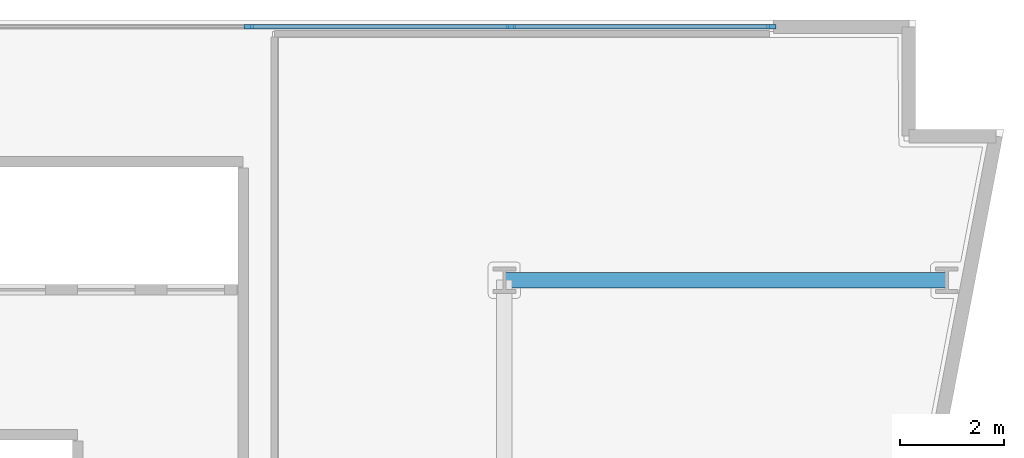
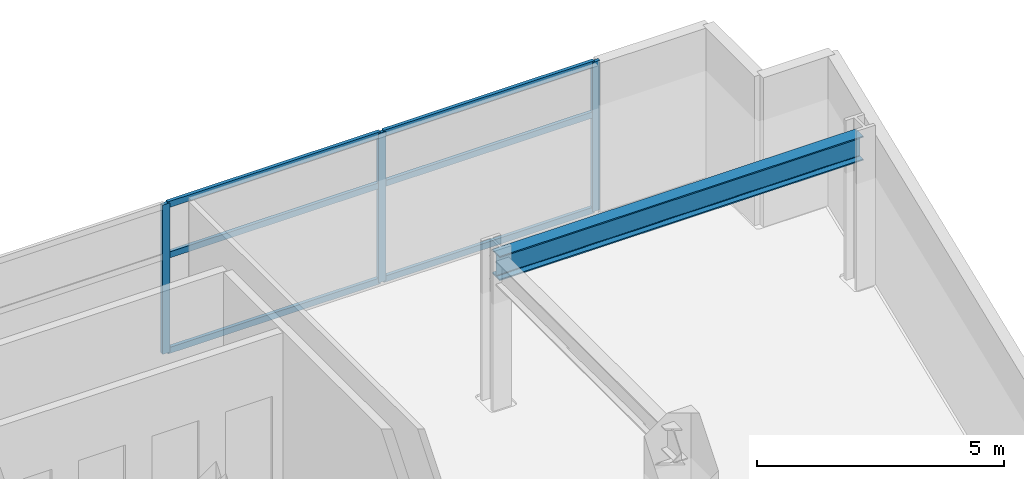
# One storey, part 4 of 12: 9 members, 1 beam, 1 element without a shape of its own.
"""IFC4 building model written with IfcOpenShell, lengths in metres."""

from ifc_helpers import new_model, si_unit, direction, frame, origin, origin_2d, place, context, subcontext, project, spatial, rectangle, i_section, extrude, material, layer, layer_set, material_profile, profile_set, type_object, element, aggregate, save


model = new_model("IFC4")

# Units and contexts
model_context = context("Model", 3, precision=1e-05, world=origin(), true_north=direction((0.0, 1.0)))
body_context = subcontext(model_context, "Body", "Model", "MODEL_VIEW")
ifc_project = project(units=[si_unit("LENGTHUNIT", "METRE"), si_unit("AREAUNIT", "SQUARE_METRE"), si_unit("VOLUMEUNIT", "CUBIC_METRE"), si_unit("PLANEANGLEUNIT", "RADIAN"), si_unit("MASSUNIT", "GRAM", prefix="KILO")], contexts=[model_context])

# Site, building, storey
site_placement = place(None, origin())
site = spatial("IfcSite", under=ifc_project, at=site_placement, CompositionType="ELEMENT")
building_placement = place(site_placement, origin())
building = spatial("IfcBuilding", under=site, at=building_placement, Name="Caeloran Harvest Quay", CompositionType="ELEMENT")
storey_placement = place(building_placement, frame((0.0, 0.0, 115.35009765625)))
storey = spatial("IfcBuildingStorey", under=building, at=storey_placement, Name="L26", CompositionType="ELEMENT", Elevation=115.35009765625)

# Beam
ifc_material_1 = material(Name="Steel S355J2", Category="steel")
ifc_material_profile_1 = material_profile(ifc_material_1, i_section(OverallWidth=0.300048828125, OverallDepth=0.60009765625, WebThickness=0.015380859375, FlangeThickness=0.030029296875, FilletRadius=0.027099609375, at=origin_2d()), Name="HE 600 B")
ifc_profile_set_1 = profile_set([ifc_material_profile_1], Name="Steel S355J2")
beam_type = type_object("IfcBeamType", Name="BM-PG-3-HE_600_B", PredefinedType="BEAM", material=ifc_profile_set_1)
beam_placement = place(storey_placement, frame((42.5, 38.5, 3.389892578125), z_axis=(1.0, 0.0, 0.0), x_axis=(0.0, 1.0, 0.0)))
element("IfcBeam", 1, at=beam_placement, inside=storey, type_object=beam_type, Name="L26 Primary East-West Girder Y=38.5", PredefinedType="BEAM", context=body_context, shape_type="SweptSolid", body=[
    extrude(i_section(OverallWidth=0.300048828125, OverallDepth=0.60009765625, WebThickness=0.015380859375, FlangeThickness=0.030029296875, FilletRadius=0.027099609375, at=origin_2d()), origin(), (0.0, 0.0, 1.0), 8.5),
])

# Curtain wall, members
ifc_material_2 = material(Name="Aluminium 6063-T6 and Low-E Glazing", Category="aluminium")
ifc_layer = layer(ifc_material_2, 0.18994140625, Name="Aluminium 6063-T6 and Low-E Glazing")
ifc_layer_set = layer_set([ifc_layer], Name="Aluminium 6063-T6 and Low-E Glazing")
curtain_wall_type = type_object("IfcCurtainWallType", Name="CW-SYS-CW-3", PredefinedType="USERDEFINED", material=ifc_layer_set)
curtain_wall_placement = place(storey_placement, origin())
curtain_wall = element("IfcCurtainWall", 2, at=curtain_wall_placement, inside=storey, type_object=curtain_wall_type, Name="L26 Unitised Curtain Wall CW-3 Run 6", ObjectType="CURTAIN_WALL", PredefinedType="USERDEFINED")
ifc_material_3 = material(Name="Aluminium 6063-T6", Category="aluminium")
ifc_material_profile_2 = material_profile(ifc_material_3, rectangle(XDim=0.080078125, YDim=0.179931640625, at=origin_2d()), Name="CW-MULLION-180")
ifc_profile_set_2 = profile_set([ifc_material_profile_2], Name="Aluminium 6063-T6")
member_type_1 = type_object("IfcMemberType", Name="CW-MULLION-180", PredefinedType="MULLION", material=ifc_profile_set_2)
member_1_placement = place(storey_placement, frame((37.5849609375, 43.3701171875, 0.0), z_axis=(0.0, 0.0, 1.0), x_axis=(0.0, 1.0, 0.0)))
member_1 = element("IfcMember", 3, at=member_1_placement, type_object=member_type_1, Name="CW-3 mullion 7", PredefinedType="MULLION", context=body_context, shape_type="SweptSolid", body=[
    extrude(rectangle(XDim=0.080078125, YDim=0.179931640625, at=origin_2d()), origin(), (0.0, 0.0, 1.0), 3.68994140625),
])
member_2_placement = place(storey_placement, frame((42.62744140625, 43.3701171875, 0.0), z_axis=(0.0, 0.0, 1.0), x_axis=(0.0, 1.0, 0.0)))
member_2 = element("IfcMember", 4, at=member_2_placement, type_object=member_type_1, Name="CW-3 mullion 8", PredefinedType="MULLION", context=body_context, shape_type="SweptSolid", body=[
    extrude(rectangle(XDim=0.080078125, YDim=0.179931640625, at=origin_2d()), origin(), (0.0, 0.0, 1.0), 3.68994140625),
])
member_3_placement = place(storey_placement, frame((47.6298828125, 43.3701171875, 0.0), z_axis=(0.0, 0.0, 1.0), x_axis=(0.0, 1.0, 0.0)))
member_3 = element("IfcMember", 5, at=member_3_placement, type_object=member_type_1, Name="CW-3 mullion 9", PredefinedType="MULLION", context=body_context, shape_type="SweptSolid", body=[
    extrude(rectangle(XDim=0.080078125, YDim=0.179931640625, at=origin_2d()), origin(), (0.0, 0.0, 1.0), 3.68994140625),
])
ifc_material_profile_3 = material_profile(ifc_material_3, rectangle(XDim=0.080078125, YDim=0.14990234375, at=origin_2d()), Name="CW-TRANSOM-150")
ifc_profile_set_3 = profile_set([ifc_material_profile_3], Name="Aluminium 6063-T6")
member_type_2 = type_object("IfcMemberType", Name="CW-TRANSOM-150", PredefinedType="USERDEFINED", material=ifc_profile_set_3)
member_4_placement = place(storey_placement, frame((37.625, 43.3701171875, 0.039794921875), z_axis=(1.0, 0.0, 0.0), x_axis=(0.0, 1.0, 0.0)))
member_4 = element("IfcMember", 6, at=member_4_placement, type_object=member_type_2, Name="CW-3 transom 7.1", ObjectType="TRANSOM", PredefinedType="USERDEFINED", context=body_context, shape_type="SweptSolid", body=[
    extrude(rectangle(XDim=0.080078125, YDim=0.14990234375, at=origin_2d()), origin(), (0.0, 0.0, 1.0), 4.96240234375),
])
member_5_placement = place(storey_placement, frame((37.625, 43.3701171875, 2.39990234375), z_axis=(1.0, 0.0, 0.0), x_axis=(0.0, 1.0, 0.0)))
member_5 = element("IfcMember", 7, at=member_5_placement, type_object=member_type_2, Name="CW-3 transom 7.2", ObjectType="TRANSOM", PredefinedType="USERDEFINED", context=body_context, shape_type="SweptSolid", body=[
    extrude(rectangle(XDim=0.080078125, YDim=0.14990234375, at=origin_2d()), origin(), (0.0, 0.0, 1.0), 4.96240234375),
])
member_6_placement = place(storey_placement, frame((37.625, 43.3701171875, 3.64990234375), z_axis=(1.0, 0.0, 0.0), x_axis=(0.0, 1.0, 0.0)))
member_6 = element("IfcMember", 8, at=member_6_placement, type_object=member_type_2, Name="CW-3 transom 7.3", ObjectType="TRANSOM", PredefinedType="USERDEFINED", context=body_context, shape_type="SweptSolid", body=[
    extrude(rectangle(XDim=0.080078125, YDim=0.14990234375, at=origin_2d()), origin(), (0.0, 0.0, 1.0), 4.96240234375),
])
member_7_placement = place(storey_placement, frame((42.66748046875, 43.3701171875, 0.039794921875), z_axis=(1.0, 0.0, 0.0), x_axis=(0.0, 1.0, 0.0)))
member_7 = element("IfcMember", 9, at=member_7_placement, type_object=member_type_2, Name="CW-3 transom 8.1", ObjectType="TRANSOM", PredefinedType="USERDEFINED", context=body_context, shape_type="SweptSolid", body=[
    extrude(rectangle(XDim=0.080078125, YDim=0.14990234375, at=origin_2d()), origin(), (0.0, 0.0, 1.0), 4.922607421875),
])
member_8_placement = place(storey_placement, frame((42.66748046875, 43.3701171875, 2.39990234375), z_axis=(1.0, 0.0, 0.0), x_axis=(0.0, 1.0, 0.0)))
member_8 = element("IfcMember", 10, at=member_8_placement, type_object=member_type_2, Name="CW-3 transom 8.2", ObjectType="TRANSOM", PredefinedType="USERDEFINED", context=body_context, shape_type="SweptSolid", body=[
    extrude(rectangle(XDim=0.080078125, YDim=0.14990234375, at=origin_2d()), origin(), (0.0, 0.0, 1.0), 4.922607421875),
])
member_9_placement = place(storey_placement, frame((42.66748046875, 43.3701171875, 3.64990234375), z_axis=(1.0, 0.0, 0.0), x_axis=(0.0, 1.0, 0.0)))
member_9 = element("IfcMember", 11, at=member_9_placement, type_object=member_type_2, Name="CW-3 transom 8.3", ObjectType="TRANSOM", PredefinedType="USERDEFINED", context=body_context, shape_type="SweptSolid", body=[
    extrude(rectangle(XDim=0.080078125, YDim=0.14990234375, at=origin_2d()), origin(), (0.0, 0.0, 1.0), 4.922607421875),
])
aggregate(curtain_wall, [member_1, member_2, member_3, member_4, member_5, member_6, member_7, member_8, member_9])

save(model, "model.ifc")
